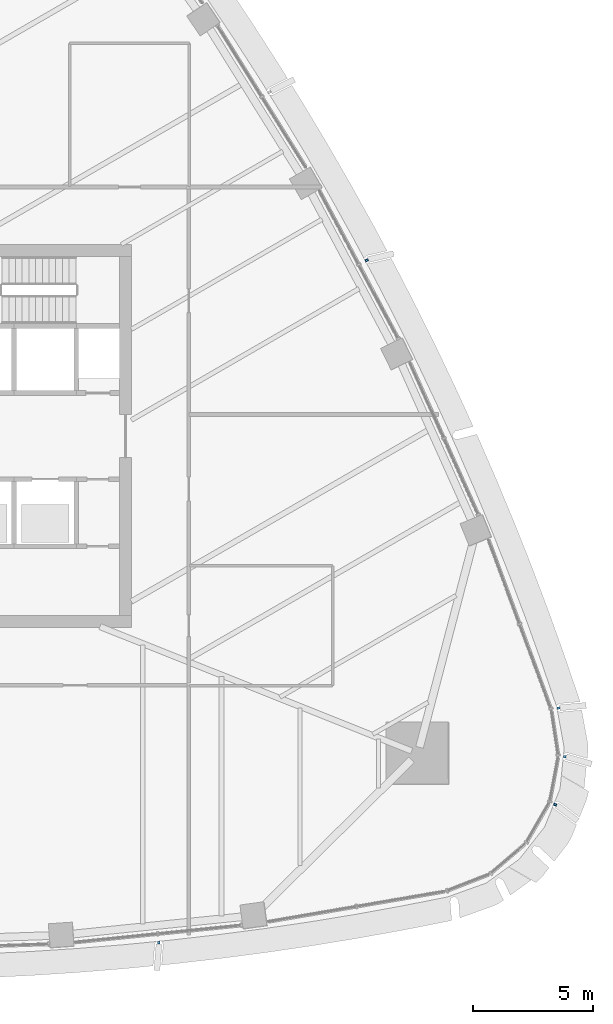
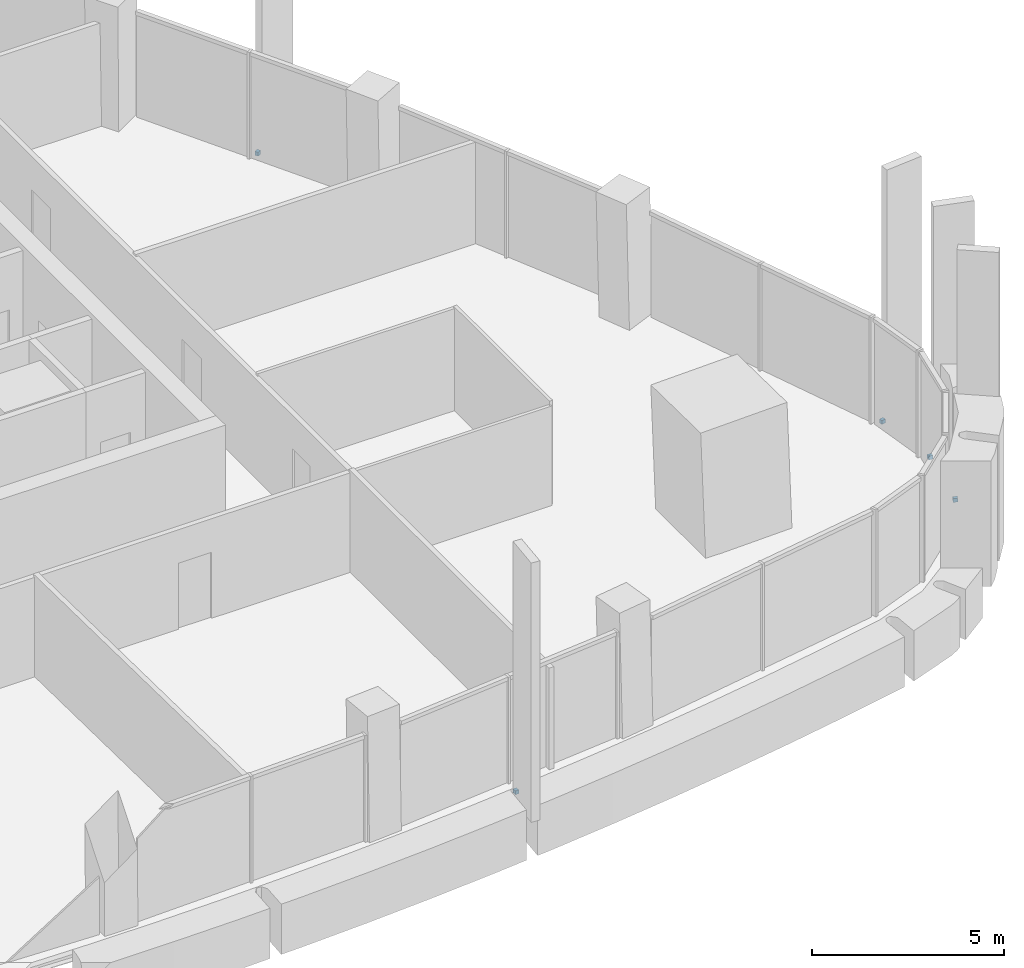
# One storey, part 13 of 17: 5 discrete accessories.
"""IFC4 building model written with IfcOpenShell, lengths in metres."""

from ifc_helpers import new_model, si_unit, direction, frame, origin, origin_2d, place, context, subcontext, project, spatial, rectangle, extrude, material, type_object, element, save


model = new_model("IFC4")

# Units and contexts
model_context = context("Model", 3, precision=1e-05, world=origin(), true_north=direction((0.0, 1.0)))
body_context = subcontext(model_context, "Body", "Model", "MODEL_VIEW")
ifc_project = project(units=[si_unit("LENGTHUNIT", "METRE"), si_unit("AREAUNIT", "SQUARE_METRE"), si_unit("VOLUMEUNIT", "CUBIC_METRE"), si_unit("PLANEANGLEUNIT", "RADIAN"), si_unit("MASSUNIT", "GRAM", prefix="KILO")], contexts=[model_context])

# Site, building, storey
site_placement = place(None, origin())
site = spatial("IfcSite", under=ifc_project, at=site_placement, CompositionType="ELEMENT")
building_placement = place(site_placement, origin())
building = spatial("IfcBuilding", under=site, at=building_placement, Name="Sierra Prisma Convention Tower", CompositionType="ELEMENT")
storey_placement = place(building_placement, frame((0.0, 0.0, 201.800048828125)))
storey = spatial("IfcBuildingStorey", under=building, at=storey_placement, Name="L45", CompositionType="ELEMENT", Elevation=201.800048828125)

# Discrete accessories
ifc_material = material(Name="Stainless steel 316", Category="steel")
discrete_accessory_type = type_object("IfcDiscreteAccessoryType", Name="Fin bracket", PredefinedType="BRACKET", material=ifc_material)
for number, where, z_axis, x_axis, name in (
    (1, (12.14453125, -21.15673828125, -0.135009765625), (0.0, 0.0, 1.0), (0.0975473005, -0.995230889877, 0.0), "Fin bracket L45.14 base"),
    (2, (28.695556640625, -15.3896484375, -0.135009765625), (0.0, 0.0, 1.0), (0.927551288867, -0.37369587437, 0.0), "Fin bracket L45.21 base"),
    (3, (29.095458984375, -13.38720703125, -0.135009765625), (0.0, 0.0, 1.0), (0.994825534561, -0.101598010731, 0.0), "Fin bracket L45.22 base"),
    (4, (28.83203125, -11.35791015625, -0.135009765625), (0.0, 0.0, 1.0), (0.983943230624, 0.178481704692, 0.0), "Fin bracket L45.23 base"),
    (5, (20.824462890625, 7.340087890625, -0.135009765625), (0.0, 0.0, 1.0), (0.881847070948, 0.471535516647, 0.0), "Fin bracket L45.30 base"),
):
    element("IfcDiscreteAccessory", number, at=place(storey_placement, frame(where, z_axis=z_axis, x_axis=x_axis)), inside=storey, type_object=discrete_accessory_type, Name=name, PredefinedType="BRACKET", context=body_context, shape_type="SweptSolid", body=[
        extrude(rectangle(XDim=0.1201171875, YDim=0.10009765625, at=origin_2d()), origin(), (0.0, 0.0, 1.0), 0.1201171875),
    ])

save(model, "model.ifc")
